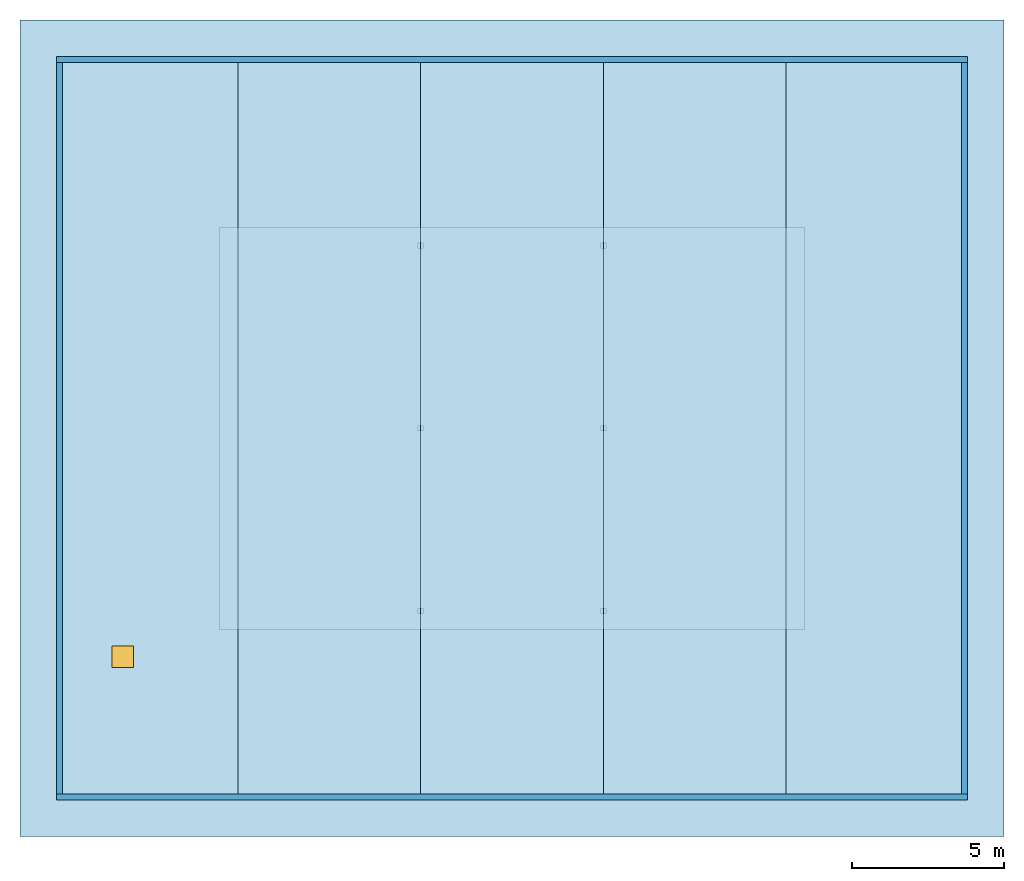
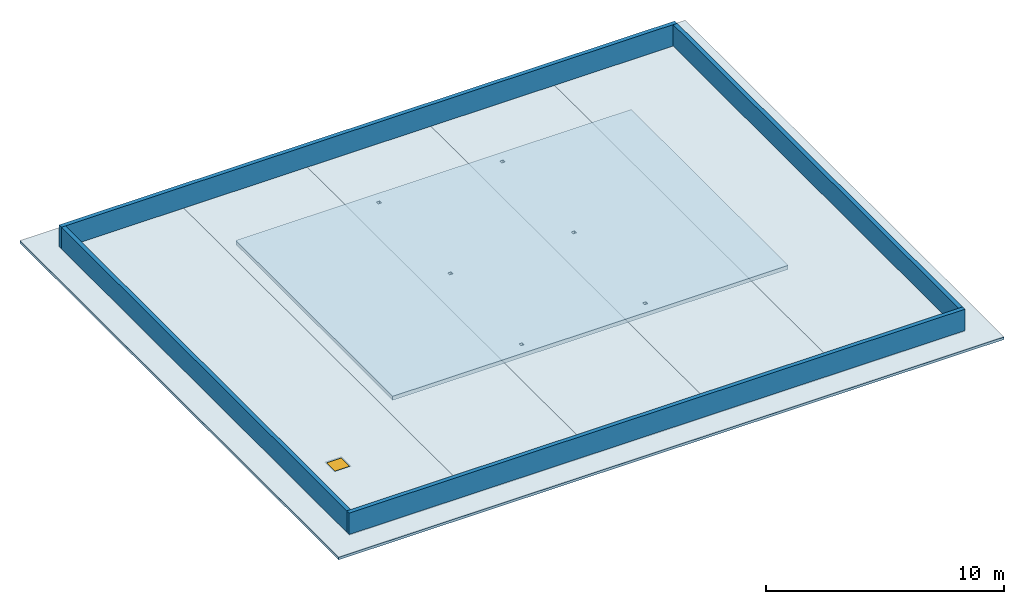
"""IFC4 building model written with IfcOpenShell, lengths in metres."""

from ifc_helpers import new_model, si_unit, direction, frame, frame_2d, origin, origin_2d, place, context, subcontext, project, spatial, polyline, rectangle, outline, extrude, material, layer, layer_set, type_object, element, fill, save


model = new_model("IFC4")

# Units and contexts
model_context = context("Model", 3, precision=1e-05, world=origin(), true_north=direction((0.0, 1.0)))
body_context = subcontext(model_context, "Body", "Model", "MODEL_VIEW")
ifc_project = project(units=[si_unit("LENGTHUNIT", "METRE"), si_unit("AREAUNIT", "SQUARE_METRE"), si_unit("VOLUMEUNIT", "CUBIC_METRE"), si_unit("PLANEANGLEUNIT", "RADIAN"), si_unit("MASSUNIT", "GRAM", prefix="KILO")], contexts=[model_context])

# Site, building, storey
site_placement = place(None, origin())
site = spatial("IfcSite", under=ifc_project, at=site_placement, CompositionType="ELEMENT")
building_placement = place(site_placement, origin())
building = spatial("IfcBuilding", under=site, at=building_placement, Name="Saffron Lane Theatres", CompositionType="ELEMENT")
storey_1_placement = place(building_placement, frame((0.0, 0.0, 36.949951171875)))
storey_1 = spatial("IfcBuildingStorey", under=building, at=storey_1_placement, Name="Roof Tower 1", CompositionType="ELEMENT", Elevation=36.949951171875)

# Slab
ifc_material_1 = material(Name="Steel Grade 350 insulated roof deck", Category="steel")
ifc_layer_1 = layer(ifc_material_1, 0.080078125)
ifc_layer_set_1 = layer_set([ifc_layer_1], Name="Steel Grade 350 insulated roof deck")
slab_type_1 = type_object("IfcSlabType", Name="ST-LANTERN CAP", PredefinedType="ROOF", material=ifc_layer_set_1)
slab_1_placement = place(storey_1_placement, frame((0.0, 0.0, 1.675048828125)))
element("IfcSlab", 1, at=slab_1_placement, inside=storey_1, type_object=slab_type_1, Name="LC1", PredefinedType="ROOF", context=body_context, shape_type="SweptSolid", body=[
    extrude(outline(polyline([(23.39990234375, 35.64990234375), (42.60009765625, 35.64990234375), (42.60009765625, 48.85009765625), (23.39990234375, 48.85009765625), (23.39990234375, 35.64990234375)]), holes=[polyline([(29.919921875, 36.169921875), (30.080078125, 36.169921875), (30.080078125, 36.330078125), (29.919921875, 36.330078125), (29.919921875, 36.169921875)]), polyline([(29.919921875, 42.169921875), (30.080078125, 42.169921875), (30.080078125, 42.330078125), (29.919921875, 42.330078125), (29.919921875, 42.169921875)]), polyline([(29.919921875, 48.169921875), (30.080078125, 48.169921875), (30.080078125, 48.330078125), (29.919921875, 48.330078125), (29.919921875, 48.169921875)]), polyline([(35.919921875, 36.169921875), (36.080078125, 36.169921875), (36.080078125, 36.330078125), (35.919921875, 36.330078125), (35.919921875, 36.169921875)]), polyline([(35.919921875, 42.169921875), (36.080078125, 42.169921875), (36.080078125, 42.330078125), (35.919921875, 42.330078125), (35.919921875, 42.169921875)]), polyline([(35.919921875, 48.169921875), (36.080078125, 48.169921875), (36.080078125, 48.330078125), (35.919921875, 48.330078125), (35.919921875, 48.169921875)])]), origin(), (0.0, 0.0, 1.0), 0.199951171875),
])

# Slab, opening
ifc_material_2 = material(Name="Steel Grade 350 insulated roof deck", Category="steel")
ifc_layer_2 = layer(ifc_material_2, 0.1298828125)
ifc_layer_set_2 = layer_set([ifc_layer_2], Name="Steel Grade 350 insulated roof deck")
slab_type_2 = type_object("IfcSlabType", Name="ST-TOWER ROOF DECK", PredefinedType="ROOF", material=ifc_layer_set_2)
slab_2_placement = place(storey_1_placement, frame((0.0, 0.0, -0.099853515625)))
slab_2 = element("IfcSlab", 2, at=slab_2_placement, inside=storey_1, type_object=slab_type_2, Name="TD1", PredefinedType="ROOF", context=body_context, shape_type="SweptSolid", body=[
    extrude(outline(polyline([(18.050048828125, 30.050048828125), (24.0, 30.050048828125), (24.0, 54.449951171875), (18.050048828125, 54.449951171875), (18.050048828125, 30.050048828125)])), origin(), (0.0, 0.0, 1.0), 0.1298828125),
])
opening_placement = place(slab_2_placement, frame((20.22509765625, 34.75, 0.0)))
opening = element("IfcOpeningElement", 3, at=opening_placement, cuts=slab_2, Name="Opening RH-TOWER", PredefinedType="OPENING", context=body_context, shape_type="SweptSolid", body=[
    extrude(rectangle(XDim=0.699951171875, YDim=0.699951171875, at=origin_2d()), origin(), (0.0, 0.0, 1.0), 0.1298828125),
])

# Storey
storey_2_placement = place(building_placement, frame((0.0, 0.0, 28.0)))
storey_2 = spatial("IfcBuildingStorey", under=building, at=storey_2_placement, Name="Upper Roof", CompositionType="ELEMENT", Elevation=28.0)

# Window
ifc_material_3 = material(Name="Aluminium", Category="aluminium")
window_type = type_object("IfcWindowType", Name="EX-ROOF HATCH 700x700", PartitioningType="SINGLE_PANEL", PredefinedType="SKYLIGHT", material=ifc_material_3)
window_placement = place(opening_placement, frame((0.0, 0.0, 0.079833984375)))
window = element("IfcWindow", 4, at=window_placement, inside=storey_2, type_object=window_type, Name="Tower roof hatch", OverallHeight=0.699951171875, OverallWidth=0.699951171875, PartitioningType="SINGLE_PANEL", PredefinedType="SKYLIGHT", context=body_context, shape_type="SweptSolid", body=[
    extrude(rectangle(XDim=0.699951171875, YDim=0.699951171875, at=origin_2d()), origin(), (0.0, 0.0, 1.0), 0.050048828125),
])

fill(opening, window)

# Slabs
slab_3_placement = place(storey_1_placement, frame((0.0, 0.0, -0.099853515625)))
element("IfcSlab", 5, at=slab_3_placement, inside=storey_1, type_object=slab_type_2, Name="TD2", PredefinedType="ROOF", context=body_context, shape_type="SweptSolid", body=[
    extrude(outline(polyline([(24.0, 30.050048828125), (30.0, 30.050048828125), (30.0, 54.449951171875), (24.0, 54.449951171875), (24.0, 30.050048828125)])), origin(), (0.0, 0.0, 1.0), 0.1298828125),
])
slab_4_placement = place(storey_1_placement, frame((0.0, 0.0, -0.099853515625)))
element("IfcSlab", 6, at=slab_4_placement, inside=storey_1, type_object=slab_type_2, Name="TD3", PredefinedType="ROOF", context=body_context, shape_type="SweptSolid", body=[
    extrude(outline(polyline([(30.0, 30.050048828125), (36.0, 30.050048828125), (36.0, 54.449951171875), (30.0, 54.449951171875), (30.0, 30.050048828125)])), origin(), (0.0, 0.0, 1.0), 0.1298828125),
])
slab_5_placement = place(storey_1_placement, frame((0.0, 0.0, -0.099853515625)))
element("IfcSlab", 7, at=slab_5_placement, inside=storey_1, type_object=slab_type_2, Name="TD4", PredefinedType="ROOF", context=body_context, shape_type="SweptSolid", body=[
    extrude(outline(polyline([(36.0, 30.050048828125), (42.0, 30.050048828125), (42.0, 54.449951171875), (36.0, 54.449951171875), (36.0, 30.050048828125)])), origin(), (0.0, 0.0, 1.0), 0.1298828125),
])
slab_6_placement = place(storey_1_placement, frame((0.0, 0.0, -0.099853515625)))
element("IfcSlab", 8, at=slab_6_placement, inside=storey_1, type_object=slab_type_2, Name="TD5", PredefinedType="ROOF", context=body_context, shape_type="SweptSolid", body=[
    extrude(outline(polyline([(42.0, 30.050048828125), (47.949951171875, 30.050048828125), (47.949951171875, 54.449951171875), (42.0, 54.449951171875), (42.0, 30.050048828125)])), origin(), (0.0, 0.0, 1.0), 0.1298828125),
])
slab_7_placement = place(storey_1_placement, frame((0.0, 0.0, -0.099853515625)))
element("IfcSlab", 9, at=slab_7_placement, inside=storey_1, type_object=slab_type_2, Name="TD6", PredefinedType="ROOF", context=body_context, shape_type="SweptSolid", body=[
    extrude(outline(polyline([(16.85009765625, 28.85009765625), (49.14990234375, 28.85009765625), (49.14990234375, 55.64990234375), (16.85009765625, 55.64990234375), (16.85009765625, 28.85009765625)]), holes=[polyline([(18.050048828125, 30.050048828125), (47.949951171875, 30.050048828125), (47.949951171875, 54.449951171875), (18.050048828125, 54.449951171875), (18.050048828125, 30.050048828125)])]), origin(), (0.0, 0.0, 1.0), 0.1298828125),
])

# Walls
ifc_material_4 = material(Name="Insulated metal panel", Category="metal")
ifc_layer_3 = layer(ifc_material_4, 0.199951171875)
ifc_layer_set_3 = layer_set([ifc_layer_3], Name="Insulated metal panel")
wall_type = type_object("IfcWallType", Name="ST-TOWER PARAPET", PredefinedType="PARAPET", material=ifc_layer_set_3)
for number, where, z_axis, x_axis, name in (
    (10, (18.050048828125, 30.14990234375, 0.050048828125), (0.0, 0.0, 1.0), (1.0, 0.0, 0.0), "TW1"),
    (11, (18.050048828125, 54.35009765625, 0.050048828125), (0.0, 0.0, 1.0), (1.0, 0.0, 0.0), "TW2"),
):
    element("IfcWall", number, at=place(storey_1_placement, frame(where, z_axis=z_axis, x_axis=x_axis)), inside=storey_1, type_object=wall_type, Name=name, PredefinedType="PARAPET", context=body_context, shape_type="SweptSolid", body=[
        extrude(rectangle(XDim=29.89990234375, YDim=0.199951171875, at=frame_2d((14.949951171875, 0.0))), origin(), (0.0, 0.0, 1.0), 1.10009765625),
    ])
for number, where, z_axis, x_axis, name in (
    (12, (18.14990234375, 30.25, 0.050048828125), (0.0, 0.0, 1.0), (0.0, 1.0, 0.0), "TW3"),
    (13, (47.85009765625, 30.25, 0.050048828125), (0.0, 0.0, 1.0), (0.0, 1.0, 0.0), "TW4"),
):
    element("IfcWall", number, at=place(storey_1_placement, frame(where, z_axis=z_axis, x_axis=x_axis)), inside=storey_1, type_object=wall_type, Name=name, PredefinedType="PARAPET", context=body_context, shape_type="SweptSolid", body=[
        extrude(rectangle(XDim=24.0, YDim=0.199951171875, at=frame_2d((12.0, 0.0))), origin(), (0.0, 0.0, 1.0), 1.10009765625),
    ])

save(model, "model.ifc")
